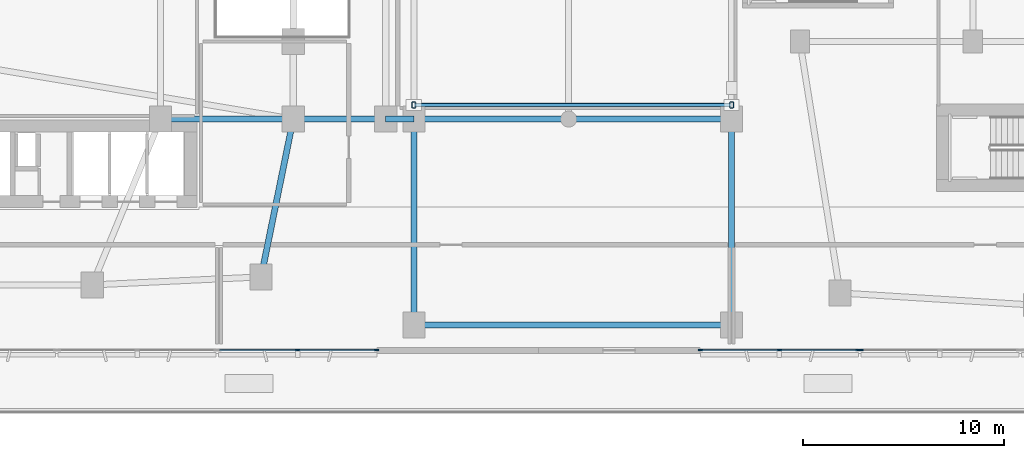
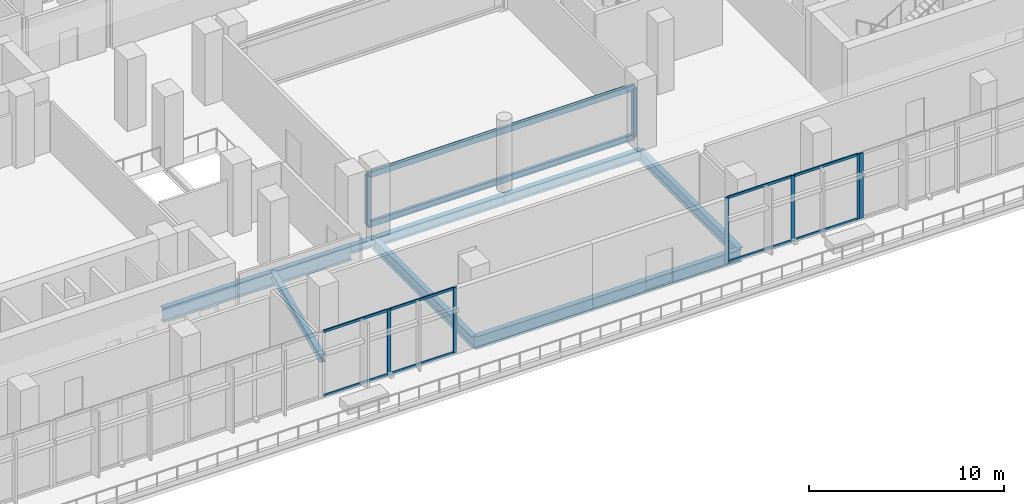
# One storey, part 4 of 31: 18 members, 9 beams, 3 elements without a shape of their own.
"""IFC4 building model written with IfcOpenShell, lengths in metres."""

from ifc_helpers import new_model, si_unit, derived_unit, direction, frame, origin, origin_2d, place, context, subcontext, project, spatial, rectangle, hollow_rectangle, i_section, extrude, material, layer, layer_set, material_profile, profile_set, type_object, element, aggregate, save


model = new_model("IFC4")

# Units and contexts
model_context = context("Model", 3, precision=1e-05, world=origin(), true_north=direction((0.0, 1.0)))
body_context = subcontext(model_context, "Body", "Model", "MODEL_VIEW")
ifc_project = project(units=[si_unit("LENGTHUNIT", "METRE"), si_unit("AREAUNIT", "SQUARE_METRE"), si_unit("VOLUMEUNIT", "CUBIC_METRE"), si_unit("PLANEANGLEUNIT", "RADIAN"), si_unit("MASSUNIT", "GRAM", prefix="KILO"), derived_unit("THERMALTRANSMITTANCEUNIT", [(si_unit("POWERUNIT", "WATT"), 1), (si_unit("LENGTHUNIT", "METRE"), -2), (si_unit("THERMODYNAMICTEMPERATUREUNIT", "KELVIN"), -1)])], contexts=[model_context])

# Site, building, storey
site_placement = place(None, origin())
site = spatial("IfcSite", under=ifc_project, at=site_placement, CompositionType="ELEMENT")
building_placement = place(site_placement, origin())
building = spatial("IfcBuilding", under=site, at=building_placement, Name="Kivonza Crest Hotel", CompositionType="ELEMENT")
storey_placement = place(building_placement, frame((0.0, 0.0, 15.0)))
storey = spatial("IfcBuildingStorey", under=building, at=storey_placement, Name="L03", CompositionType="ELEMENT", Elevation=15.0)

# Beams
ifc_material_1 = material(Name="Steel S355", Category="steel")
ifc_material_profile_1 = material_profile(ifc_material_1, i_section(OverallWidth=0.300048828125, OverallDepth=0.449951171875, WebThickness=0.013916015625, FlangeThickness=0.02587890625, FilletRadius=0.027099609375, at=origin_2d()), Name="HEB 450")
ifc_profile_set_1 = profile_set([ifc_material_profile_1], Name="Steel S355")
beam_type_1 = type_object("IfcBeamType", Name="BM-HEB450", PredefinedType="SPANDREL", material=ifc_profile_set_1)
beam_1_placement = place(storey_placement, frame((34.199951171875, 9.800048828125, -0.574951171875), z_axis=(0.199730733965, 0.979850822273, 0.0), x_axis=(-0.979850822273, 0.199730733965, 0.0)))
element("IfcBeam", 1, at=beam_1_placement, inside=storey, type_object=beam_type_1, Name="Tower T1 L03 perimeter spandrel SE-PSE", PredefinedType="SPANDREL", context=body_context, shape_type="SweptSolid", body=[
    extrude(i_section(OverallWidth=0.300048828125, OverallDepth=0.449951171875, WebThickness=0.013916015625, FlangeThickness=0.02587890625, FilletRadius=0.027099609375, at=origin_2d()), origin(), (0.0, 0.0, 1.0), 8.01123046875),
])
ifc_material_profile_2 = material_profile(ifc_material_1, i_section(OverallWidth=0.300048828125, OverallDepth=0.5, WebThickness=0.014404296875, FlangeThickness=0.028076171875, FilletRadius=0.027099609375, at=origin_2d()), Name="HEB 500")
ifc_profile_set_2 = profile_set([ifc_material_profile_2], Name="Steel S355")
beam_type_2 = type_object("IfcBeamType", Name="BM-HEB500", PredefinedType="BEAM", material=ifc_profile_set_2)
beam_2_placement = place(storey_placement, frame((40.39990234375, 17.64990234375, -0.60009765625), z_axis=(1.0, 0.0, 0.0), x_axis=(0.0, 1.0, 0.0)))
element("IfcBeam", 2, at=beam_2_placement, inside=storey, type_object=beam_type_2, Name="L03 podium girder X 6", PredefinedType="BEAM", context=body_context, shape_type="SweptSolid", body=[
    extrude(i_section(OverallWidth=0.300048828125, OverallDepth=0.5, WebThickness=0.014404296875, FlangeThickness=0.028076171875, FilletRadius=0.027099609375, at=origin_2d()), origin(), (0.0, 0.0, 1.0), 1.400146484375),
])
ifc_material_profile_3 = material_profile(ifc_material_1, i_section(OverallWidth=0.300048828125, OverallDepth=0.60009765625, WebThickness=0.015380859375, FlangeThickness=0.030029296875, FilletRadius=0.027099609375, at=origin_2d()), Name="HEB 600")
ifc_profile_set_3 = profile_set([ifc_material_profile_3], Name="Steel S355")
beam_type_3 = type_object("IfcBeamType", Name="BM-HEB600", PredefinedType="BEAM", material=ifc_profile_set_3)
beam_3_placement = place(storey_placement, frame((41.800048828125, 17.64990234375, -0.64990234375), z_axis=(1.0, 0.0, 0.0), x_axis=(0.0, 1.0, 0.0)))
element("IfcBeam", 3, at=beam_3_placement, inside=storey, type_object=beam_type_3, Name="L03 podium girder X 7", PredefinedType="BEAM", context=body_context, shape_type="SweptSolid", body=[
    extrude(i_section(OverallWidth=0.300048828125, OverallDepth=0.60009765625, WebThickness=0.015380859375, FlangeThickness=0.030029296875, FilletRadius=0.027099609375, at=origin_2d()), origin(), (0.0, 0.0, 1.0), 7.699951171875),
])
beam_4_placement = place(storey_placement, frame((49.5, 17.64990234375, -0.64990234375), z_axis=(1.0, 0.0, 0.0), x_axis=(0.0, 1.0, 0.0)))
element("IfcBeam", 4, at=beam_4_placement, inside=storey, type_object=beam_type_3, Name="L03 podium girder X 8", PredefinedType="BEAM", context=body_context, shape_type="SweptSolid", body=[
    extrude(i_section(OverallWidth=0.300048828125, OverallDepth=0.60009765625, WebThickness=0.015380859375, FlangeThickness=0.030029296875, FilletRadius=0.027099609375, at=origin_2d()), origin(), (0.0, 0.0, 1.0), 8.10009765625),
])
ifc_material_profile_4 = material_profile(ifc_material_1, i_section(OverallWidth=0.300048828125, OverallDepth=0.699951171875, WebThickness=0.01708984375, FlangeThickness=0.031982421875, FilletRadius=0.027099609375, at=origin_2d()), Name="HEB 700")
ifc_profile_set_4 = profile_set([ifc_material_profile_4], Name="Steel S355")
beam_type_4 = type_object("IfcBeamType", Name="BM-HEB700", PredefinedType="BEAM", material=ifc_profile_set_4)
for number, where, z_axis, x_axis, name in (
    (5, (41.800048828125, 7.39990234375, -0.699951171875), (0.0, 1.0, 0.0), (-1.0, 0.0, 0.0), "L03 podium girder Y 37"),
    (6, (57.60009765625, 7.39990234375, -0.699951171875), (0.0, 1.0, 0.0), (-1.0, 0.0, 0.0), "L03 podium girder Y 41"),
):
    element("IfcBeam", number, at=place(storey_placement, frame(where, z_axis=z_axis, x_axis=x_axis)), inside=storey, type_object=beam_type_4, Name=name, PredefinedType="BEAM", context=body_context, shape_type="SweptSolid", body=[
        extrude(i_section(OverallWidth=0.300048828125, OverallDepth=0.699951171875, WebThickness=0.01708984375, FlangeThickness=0.031982421875, FilletRadius=0.027099609375, at=origin_2d()), origin(), (0.0, 0.0, 1.0), 10.25),
    ])
ifc_material_profile_5 = material_profile(ifc_material_1, i_section(OverallWidth=0.300048828125, OverallDepth=0.800048828125, WebThickness=0.017578125, FlangeThickness=0.032958984375, FilletRadius=0.030029296875, at=origin_2d()), Name="HEB 800")
ifc_profile_set_5 = profile_set([ifc_material_profile_5], Name="Steel S355")
beam_type_5 = type_object("IfcBeamType", Name="BM-HEB800", PredefinedType="BEAM", material=ifc_profile_set_5)
beam_5_placement = place(storey_placement, frame((41.800048828125, 7.39990234375, -0.75), z_axis=(1.0, 0.0, 0.0), x_axis=(0.0, 1.0, 0.0)))
element("IfcBeam", 7, at=beam_5_placement, inside=storey, type_object=beam_type_5, Name="L03 podium girder X 1", PredefinedType="BEAM", context=body_context, shape_type="SweptSolid", body=[
    extrude(i_section(OverallWidth=0.300048828125, OverallDepth=0.800048828125, WebThickness=0.017578125, FlangeThickness=0.032958984375, FilletRadius=0.030029296875, at=origin_2d()), origin(), (0.0, 0.0, 1.0), 15.800048828125),
])
ifc_material_profile_6 = material_profile(ifc_material_1, i_section(OverallWidth=0.300048828125, OverallDepth=0.89990234375, WebThickness=0.0185546875, FlangeThickness=0.034912109375, FilletRadius=0.030029296875, at=origin_2d()), Name="HEB 900")
ifc_profile_set_6 = profile_set([ifc_material_profile_6], Name="Steel S355")
beam_type_6 = type_object("IfcBeamType", Name="BM-HEB900", PredefinedType="BEAM", material=ifc_profile_set_6)
beam_6_placement = place(storey_placement, frame((29.199951171875, 17.64990234375, -0.800048828125), z_axis=(1.0, 0.0, 0.0), x_axis=(0.0, 1.0, 0.0)))
element("IfcBeam", 8, at=beam_6_placement, inside=storey, type_object=beam_type_6, Name="Tower T1 L03 primary girder TSE-PSE", PredefinedType="BEAM", context=body_context, shape_type="SweptSolid", body=[
    extrude(i_section(OverallWidth=0.300048828125, OverallDepth=0.89990234375, WebThickness=0.0185546875, FlangeThickness=0.034912109375, FilletRadius=0.030029296875, at=origin_2d()), origin(), (0.0, 0.0, 1.0), 6.60009765625),
])
beam_7_placement = place(storey_placement, frame((40.39990234375, 17.64990234375, -0.800048828125), z_axis=(-1.0, 0.0, 0.0), x_axis=(0.0, -1.0, 0.0)))
element("IfcBeam", 9, at=beam_7_placement, inside=storey, type_object=beam_type_6, Name="Tower T1 L03 outer bay girder ZE1", PredefinedType="BEAM", context=body_context, shape_type="SweptSolid", body=[
    extrude(i_section(OverallWidth=0.300048828125, OverallDepth=0.89990234375, WebThickness=0.0185546875, FlangeThickness=0.034912109375, FilletRadius=0.030029296875, at=origin_2d()), origin(), (0.0, 0.0, 1.0), 4.599853515625),
])

# Curtain wall, members
ifc_material_2 = material(Name="Anodised bronze aluminium and low-E double glazing", Category="aluminium")
ifc_layer = layer(ifc_material_2, 0.199951171875)
ifc_layer_set = layer_set([ifc_layer], Name="Anodised bronze aluminium and low-E double glazing")
curtain_wall_type = type_object("IfcCurtainWallType", Name="CW-SYS-6", PredefinedType="NOTDEFINED", material=ifc_layer_set)
curtain_wall_1_placement = place(storey_placement, origin())
curtain_wall_1 = element("IfcCurtainWall", 10, at=curtain_wall_1_placement, inside=storey, type_object=curtain_wall_type, Name="L03 unitised curtain wall CW-POD-L03-05", PredefinedType="NOTDEFINED")
ifc_material_3 = material(Name="Anodised bronze aluminium", Category="aluminium")
ifc_material_profile_7 = material_profile(ifc_material_3, rectangle(XDim=0.074951171875, YDim=0.219970703125, at=origin_2d()), Name="CW-M 75x220")
ifc_profile_set_7 = profile_set([ifc_material_profile_7], Name="Anodised bronze aluminium")
member_type_1 = type_object("IfcMemberType", Name="CW-MUL-75x220", PredefinedType="MULLION", material=ifc_profile_set_7)
member_1_placement = place(storey_placement, frame((36.02001953125, 6.159912109375, 0.0), z_axis=(0.0, 0.0, 1.0), x_axis=(0.0, 1.0, 0.0)))
member_1 = element("IfcMember", 11, at=member_1_placement, type_object=member_type_1, Name="CW-6 mullion 2", PredefinedType="MULLION", context=body_context, shape_type="SweptSolid", body=[
    extrude(rectangle(XDim=0.074951171875, YDim=0.219970703125, at=origin_2d()), origin(), (0.0, 0.0, 1.0), 4.10009765625),
])
member_2_placement = place(storey_placement, frame((39.935546875, 6.159912109375, 0.0), z_axis=(0.0, 0.0, 1.0), x_axis=(0.0, 1.0, 0.0)))
member_2 = element("IfcMember", 12, at=member_2_placement, type_object=member_type_1, Name="CW-6 mullion 3", PredefinedType="MULLION", context=body_context, shape_type="SweptSolid", body=[
    extrude(rectangle(XDim=0.074951171875, YDim=0.219970703125, at=origin_2d()), origin(), (0.0, 0.0, 1.0), 4.10009765625),
])

curtain_wall_2_placement = place(storey_placement, origin())
curtain_wall_2 = element("IfcCurtainWall", 13, at=curtain_wall_2_placement, inside=storey, type_object=curtain_wall_type, Name="L03 unitised curtain wall CW-POD-L03-08", PredefinedType="NOTDEFINED")
member_3_placement = place(storey_placement, frame((56.064453125, 6.159912109375, 0.0), z_axis=(0.0, 0.0, 1.0), x_axis=(0.0, 1.0, 0.0)))
member_3 = element("IfcMember", 14, at=member_3_placement, type_object=member_type_1, Name="CW-6 mullion 1", PredefinedType="MULLION", context=body_context, shape_type="SweptSolid", body=[
    extrude(rectangle(XDim=0.074951171875, YDim=0.219970703125, at=origin_2d()), origin(), (0.0, 0.0, 1.0), 4.10009765625),
])
member_4_placement = place(storey_placement, frame((59.97998046875, 6.159912109375, 0.0), z_axis=(0.0, 0.0, 1.0), x_axis=(0.0, 1.0, 0.0)))
member_4 = element("IfcMember", 15, at=member_4_placement, type_object=member_type_1, Name="CW-6 mullion 2", PredefinedType="MULLION", context=body_context, shape_type="SweptSolid", body=[
    extrude(rectangle(XDim=0.074951171875, YDim=0.219970703125, at=origin_2d()), origin(), (0.0, 0.0, 1.0), 4.10009765625),
])
member_5_placement = place(storey_placement, frame((63.8955078125, 6.159912109375, 0.0), z_axis=(0.0, 0.0, 1.0), x_axis=(0.0, 1.0, 0.0)))
member_5 = element("IfcMember", 16, at=member_5_placement, type_object=member_type_1, Name="CW-6 mullion 3", PredefinedType="MULLION", context=body_context, shape_type="SweptSolid", body=[
    extrude(rectangle(XDim=0.074951171875, YDim=0.219970703125, at=origin_2d()), origin(), (0.0, 0.0, 1.0), 4.10009765625),
])

# Curtain wall, member
curtain_wall_3_placement = place(storey_placement, origin())
curtain_wall_3 = element("IfcCurtainWall", 17, at=curtain_wall_3_placement, inside=storey, type_object=curtain_wall_type, Name="L03 unitised curtain wall CW-POD-L03-09", PredefinedType="NOTDEFINED")
member_6_placement = place(storey_placement, frame((64.050537109375, 6.159912109375, 0.0), z_axis=(0.0, 0.0, 1.0), x_axis=(0.0, 1.0, 0.0)))
member_6 = element("IfcMember", 18, at=member_6_placement, type_object=member_type_1, Name="CW-6 mullion 1", PredefinedType="MULLION", context=body_context, shape_type="SweptSolid", body=[
    extrude(rectangle(XDim=0.074951171875, YDim=0.219970703125, at=origin_2d()), origin(), (0.0, 0.0, 1.0), 4.10009765625),
])
aggregate(curtain_wall_3, [member_6])

# Member
ifc_material_profile_8 = material_profile(ifc_material_3, rectangle(XDim=0.074951171875, YDim=0.159912109375, at=origin_2d()), Name="CW-T 75x160")
ifc_profile_set_8 = profile_set([ifc_material_profile_8], Name="Anodised bronze aluminium")
member_type_2 = type_object("IfcMemberType", Name="CW-TRN-75x160", PredefinedType="USERDEFINED", material=ifc_profile_set_8)
member_7_placement = place(storey_placement, frame((32.14208984375, 6.159912109375, 0.03759765625), z_axis=(1.0, 0.0, 0.0), x_axis=(0.0, 1.0, 0.0)))
member_7 = element("IfcMember", 19, at=member_7_placement, type_object=member_type_2, Name="CW-6 transom 1.1", ObjectType="TRANSOM", PredefinedType="USERDEFINED", context=body_context, shape_type="SweptSolid", body=[
    extrude(rectangle(XDim=0.074951171875, YDim=0.159912109375, at=origin_2d()), origin(), (0.0, 0.0, 1.0), 3.84033203125),
])

member_8_placement = place(storey_placement, frame((32.14208984375, 6.159912109375, 4.0625), z_axis=(1.0, 0.0, 0.0), x_axis=(0.0, 1.0, 0.0)))
member_8 = element("IfcMember", 20, at=member_8_placement, type_object=member_type_2, Name="CW-6 transom 1.2", ObjectType="TRANSOM", PredefinedType="USERDEFINED", context=body_context, shape_type="SweptSolid", body=[
    extrude(rectangle(XDim=0.074951171875, YDim=0.159912109375, at=origin_2d()), origin(), (0.0, 0.0, 1.0), 3.84033203125),
])

member_9_placement = place(storey_placement, frame((36.0576171875, 6.159912109375, 0.03759765625), z_axis=(1.0, 0.0, 0.0), x_axis=(0.0, 1.0, 0.0)))
member_9 = element("IfcMember", 21, at=member_9_placement, type_object=member_type_2, Name="CW-6 transom 2.1", ObjectType="TRANSOM", PredefinedType="USERDEFINED", context=body_context, shape_type="SweptSolid", body=[
    extrude(rectangle(XDim=0.074951171875, YDim=0.159912109375, at=origin_2d()), origin(), (0.0, 0.0, 1.0), 3.84033203125),
])

member_10_placement = place(storey_placement, frame((36.0576171875, 6.159912109375, 4.0625), z_axis=(1.0, 0.0, 0.0), x_axis=(0.0, 1.0, 0.0)))
member_10 = element("IfcMember", 22, at=member_10_placement, type_object=member_type_2, Name="CW-6 transom 2.2", ObjectType="TRANSOM", PredefinedType="USERDEFINED", context=body_context, shape_type="SweptSolid", body=[
    extrude(rectangle(XDim=0.074951171875, YDim=0.159912109375, at=origin_2d()), origin(), (0.0, 0.0, 1.0), 3.84033203125),
])

aggregate(curtain_wall_1, [member_1, member_2, member_7, member_8, member_9, member_10])

member_11_placement = place(storey_placement, frame((56.10205078125, 6.159912109375, 0.03759765625), z_axis=(1.0, 0.0, 0.0), x_axis=(0.0, 1.0, 0.0)))
member_11 = element("IfcMember", 23, at=member_11_placement, type_object=member_type_2, Name="CW-6 transom 1.1", ObjectType="TRANSOM", PredefinedType="USERDEFINED", context=body_context, shape_type="SweptSolid", body=[
    extrude(rectangle(XDim=0.074951171875, YDim=0.159912109375, at=origin_2d()), origin(), (0.0, 0.0, 1.0), 3.84033203125),
])

member_12_placement = place(storey_placement, frame((56.10205078125, 6.159912109375, 4.0625), z_axis=(1.0, 0.0, 0.0), x_axis=(0.0, 1.0, 0.0)))
member_12 = element("IfcMember", 24, at=member_12_placement, type_object=member_type_2, Name="CW-6 transom 1.2", ObjectType="TRANSOM", PredefinedType="USERDEFINED", context=body_context, shape_type="SweptSolid", body=[
    extrude(rectangle(XDim=0.074951171875, YDim=0.159912109375, at=origin_2d()), origin(), (0.0, 0.0, 1.0), 3.84033203125),
])

member_13_placement = place(storey_placement, frame((60.017578125, 6.159912109375, 0.03759765625), z_axis=(1.0, 0.0, 0.0), x_axis=(0.0, 1.0, 0.0)))
member_13 = element("IfcMember", 25, at=member_13_placement, type_object=member_type_2, Name="CW-6 transom 2.1", ObjectType="TRANSOM", PredefinedType="USERDEFINED", context=body_context, shape_type="SweptSolid", body=[
    extrude(rectangle(XDim=0.074951171875, YDim=0.159912109375, at=origin_2d()), origin(), (0.0, 0.0, 1.0), 3.84033203125),
])

member_14_placement = place(storey_placement, frame((60.017578125, 6.159912109375, 4.0625), z_axis=(1.0, 0.0, 0.0), x_axis=(0.0, 1.0, 0.0)))
member_14 = element("IfcMember", 26, at=member_14_placement, type_object=member_type_2, Name="CW-6 transom 2.2", ObjectType="TRANSOM", PredefinedType="USERDEFINED", context=body_context, shape_type="SweptSolid", body=[
    extrude(rectangle(XDim=0.074951171875, YDim=0.159912109375, at=origin_2d()), origin(), (0.0, 0.0, 1.0), 3.84033203125),
])

aggregate(curtain_wall_2, [member_3, member_4, member_5, member_11, member_12, member_13, member_14])

# Members
ifc_material_profile_9 = material_profile(ifc_material_1, hollow_rectangle(XDim=0.199951171875, YDim=0.39990234375, WallThickness=0.01611328125, InnerFilletRadius=0.02392578125, OuterFilletRadius=0.0400390625, at=origin_2d()), Name="RHS 400x200x16")
ifc_profile_set_9 = profile_set([ifc_material_profile_9], Name="Steel S355")
member_type_3 = type_object("IfcMemberType", Name="MB-CHORD-RHS400", PredefinedType="CHORD", material=ifc_profile_set_9)
for number, where, z_axis, x_axis, name in (
    (27, (41.800048828125, 18.35009765625, 0.0), (1.0, 0.0, 0.0), (0.0, 1.0, 0.0), "Skybridge link truss BR-POD-L03-S bottom chord 1"),
    (28, (41.800048828125, 18.35009765625, 3.10009765625), (1.0, 0.0, 0.0), (0.0, 1.0, 0.0), "Skybridge link truss BR-POD-L03-S top chord 1"),
):
    element("IfcMember", number, at=place(storey_placement, frame(where, z_axis=z_axis, x_axis=x_axis)), inside=storey, type_object=member_type_3, Name=name, PredefinedType="CHORD", context=body_context, shape_type="SweptSolid", body=[
        extrude(hollow_rectangle(XDim=0.199951171875, YDim=0.39990234375, WallThickness=0.01611328125, InnerFilletRadius=0.02392578125, OuterFilletRadius=0.0400390625, at=origin_2d()), origin(), (0.0, 0.0, 1.0), 15.800048828125),
    ])
ifc_material_profile_10 = material_profile(ifc_material_1, hollow_rectangle(XDim=0.199951171875, YDim=0.300048828125, WallThickness=0.012451171875, InnerFilletRadius=0.018798828125, OuterFilletRadius=0.03125, at=origin_2d()), Name="RHS 300x200x12.5")
ifc_profile_set_10 = profile_set([ifc_material_profile_10], Name="Steel S355")
member_type_4 = type_object("IfcMemberType", Name="MB-POST-RHS300", PredefinedType="POST", material=ifc_profile_set_10)
for number, where, z_axis, x_axis, name in (
    (29, (41.800048828125, 18.35009765625, 0.0), (0.0, 0.0, 1.0), (1.0, 0.0, 0.0), "Skybridge link truss BR-POD-L03-S vertical post 1"),
    (30, (57.60009765625, 18.35009765625, 0.0), (0.0, 0.0, 1.0), (1.0, 0.0, 0.0), "Skybridge link truss BR-POD-L03-S vertical post 2"),
):
    element("IfcMember", number, at=place(storey_placement, frame(where, z_axis=z_axis, x_axis=x_axis)), inside=storey, type_object=member_type_4, Name=name, PredefinedType="POST", context=body_context, shape_type="SweptSolid", body=[
        extrude(hollow_rectangle(XDim=0.199951171875, YDim=0.300048828125, WallThickness=0.012451171875, InnerFilletRadius=0.018798828125, OuterFilletRadius=0.03125, at=origin_2d()), origin(), (0.0, 0.0, 1.0), 3.10009765625),
    ])

save(model, "model.ifc")
